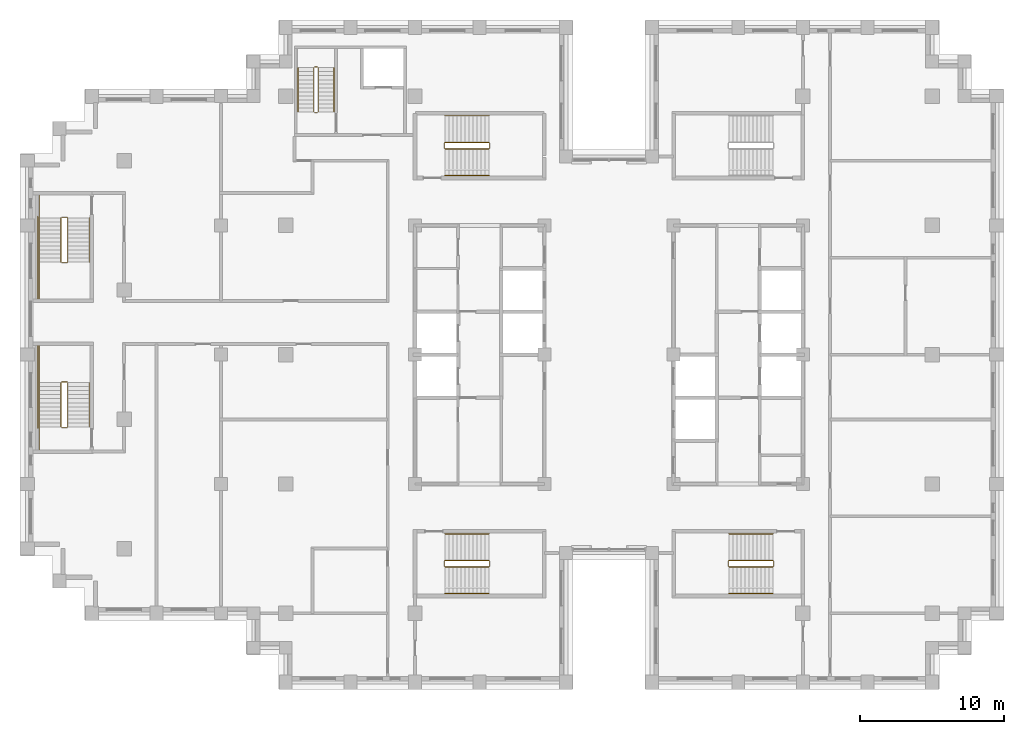
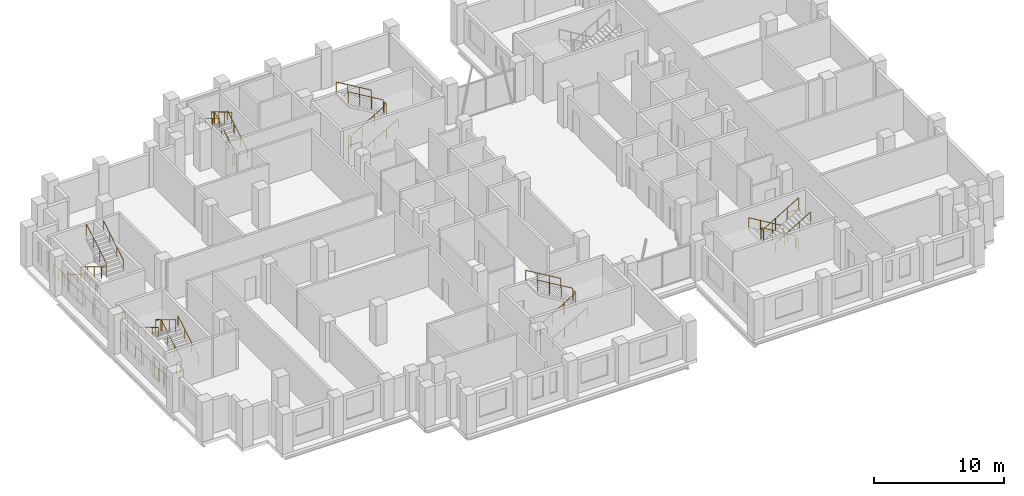
# One storey, part 14 of 15: 6 railings.
"""IFC4 building model written with IfcOpenShell, lengths in metres."""

from ifc_helpers import new_model, si_unit, direction, frame, origin, origin_2d, place, context, subcontext, project, spatial, circle, extrude, material, type_object, element, save


model = new_model("IFC4")

# Units and contexts
model_context = context("Model", 3, precision=1e-05, world=origin(), true_north=direction((0.0, 1.0)))
body_context = subcontext(model_context, "Body", "Model", "MODEL_VIEW")
ifc_project = project(units=[si_unit("LENGTHUNIT", "METRE"), si_unit("AREAUNIT", "SQUARE_METRE"), si_unit("VOLUMEUNIT", "CUBIC_METRE"), si_unit("PLANEANGLEUNIT", "RADIAN"), si_unit("MASSUNIT", "GRAM", prefix="KILO")], contexts=[model_context])

# Site, building, storey
site_placement = place(None, origin())
site = spatial("IfcSite", under=ifc_project, at=site_placement, CompositionType="ELEMENT")
building_placement = place(site_placement, origin())
building = spatial("IfcBuilding", under=site, at=building_placement, Name="Corbelhall Arena Tower", CompositionType="ELEMENT")
storey_placement = place(building_placement, frame((0.0, 0.0, 228.0)))
storey = spatial("IfcBuildingStorey", under=building, at=storey_placement, Name="L48", CompositionType="ELEMENT", Elevation=228.0)

# Railings
ifc_material = material(Name="Steel ASTM A500 Gr C", Category="steel")
railing_type = type_object("IfcRailingType", Name="IN-GD-1100", PredefinedType="GUARDRAIL", material=ifc_material)
railing_1_placement = place(storey_placement, frame((-11.425048828125, 14.324951171875, 0.166748046875)))
element("IfcRailing", 1, at=railing_1_placement, inside=storey, type_object=railing_type, Name="L48 ST1 stair guards and handrails", PredefinedType="GUARDRAIL", context=body_context, shape_type="SweptSolid", body=[
    extrude(circle(Radius=0.02392578125, at=origin_2d()), frame((0.0, 0.0, 1.076171875), z_axis=(0.859308565015, 0.0, 0.511457515432), x_axis=(0.0, 1.0, 0.0)), (0.0, 0.0, 1.0), 3.58447265625),
    extrude(circle(Radius=0.02392578125, at=origin_2d()), frame((3.130126953125, 0.050048828125, 2.9091796875), z_axis=(0.0, 1.0, 0.0), x_axis=(-1.0, 0.0, 0.0)), (0.0, 0.0, 1.0), 0.35009765625),
    extrude(circle(Radius=0.02392578125, at=origin_2d()), frame((3.080078125, 0.449951171875, 3.076171875), z_axis=(-0.859308565015, 0.0, 0.511457515432), x_axis=(0.0, -1.0, 0.0)), (0.0, 0.0, 1.0), 3.58447265625),
    extrude(circle(Radius=0.02392578125, at=origin_2d()), frame((-0.050048828125, 0.050048828125, 0.9091796875), z_axis=(0.0, 1.0, 0.0), x_axis=(-1.0, 0.0, 0.0)), (0.0, 0.0, 1.0), 0.35009765625),
    extrude(circle(Radius=0.02392578125, at=origin_2d()), frame((0.0, -1.849853515625, 0.8759765625), z_axis=(0.859308565015, 0.0, 0.511457515432), x_axis=(0.0, 1.0, 0.0)), (0.0, 0.0, 1.0), 3.58447265625),
    extrude(circle(Radius=0.02392578125, at=origin_2d()), frame((3.080078125, 2.300048828125, 2.8759765625), z_axis=(-0.859308565015, 0.0, 0.511457515432), x_axis=(0.0, -1.0, 0.0)), (0.0, 0.0, 1.0), 3.58447265625),
    extrude(circle(Radius=0.02099609375, at=origin_2d()), origin(), (0.0, 0.0, 1.0), 1.052001953125),
    extrude(circle(Radius=0.02099609375, at=origin_2d()), frame((1.026611328125, 0.0, 0.611083984375)), (0.0, 0.0, 1.0), 1.052001953125),
    extrude(circle(Radius=0.02099609375, at=origin_2d()), frame((2.053466796875, 0.0, 1.22216796875)), (0.0, 0.0, 1.0), 1.052001953125),
    extrude(circle(Radius=0.02099609375, at=origin_2d()), frame((3.080078125, 0.0, 1.833251953125)), (0.0, 0.0, 1.0), 1.052001953125),
    extrude(circle(Radius=0.02099609375, at=origin_2d()), frame((3.130126953125, 0.050048828125, 1.833251953125)), (0.0, 0.0, 1.0), 1.052001953125),
    extrude(circle(Radius=0.02099609375, at=origin_2d()), frame((3.130126953125, 0.400146484375, 1.833251953125)), (0.0, 0.0, 1.0), 1.052001953125),
    extrude(circle(Radius=0.02099609375, at=origin_2d()), frame((3.080078125, 0.449951171875, 2.0)), (0.0, 0.0, 1.0), 1.052001953125),
    extrude(circle(Radius=0.02099609375, at=origin_2d()), frame((2.053466796875, 0.449951171875, 2.611083984375)), (0.0, 0.0, 1.0), 1.052001953125),
    extrude(circle(Radius=0.02099609375, at=origin_2d()), frame((1.026611328125, 0.449951171875, 3.22216796875)), (0.0, 0.0, 1.0), 1.052001953125),
    extrude(circle(Radius=0.02099609375, at=origin_2d()), frame((0.0, 0.449951171875, 3.833251953125)), (0.0, 0.0, 1.0), 1.052001953125),
    extrude(circle(Radius=0.02099609375, at=origin_2d()), frame((-0.050048828125, 0.050048828125, -0.166748046875)), (0.0, 0.0, 1.0), 1.052001953125),
    extrude(circle(Radius=0.02099609375, at=origin_2d()), frame((-0.050048828125, 0.400146484375, -0.166748046875)), (0.0, 0.0, 1.0), 1.052001953125),
    extrude(circle(Radius=0.02099609375, at=origin_2d()), frame((0.0, -1.849853515625, 0.0)), (0.0, 0.0, 1.0), 0.851806640625),
    extrude(circle(Radius=0.02099609375, at=origin_2d()), frame((1.026611328125, -1.849853515625, 0.611083984375)), (0.0, 0.0, 1.0), 0.851806640625),
    extrude(circle(Radius=0.02099609375, at=origin_2d()), frame((2.053466796875, -1.849853515625, 1.22216796875)), (0.0, 0.0, 1.0), 0.851806640625),
    extrude(circle(Radius=0.02099609375, at=origin_2d()), frame((3.080078125, -1.849853515625, 1.833251953125)), (0.0, 0.0, 1.0), 0.851806640625),
    extrude(circle(Radius=0.02099609375, at=origin_2d()), frame((3.080078125, 2.300048828125, 2.0)), (0.0, 0.0, 1.0), 0.851806640625),
    extrude(circle(Radius=0.02099609375, at=origin_2d()), frame((2.053466796875, 2.300048828125, 2.611083984375)), (0.0, 0.0, 1.0), 0.851806640625),
    extrude(circle(Radius=0.02099609375, at=origin_2d()), frame((1.026611328125, 2.300048828125, 3.22216796875)), (0.0, 0.0, 1.0), 0.851806640625),
    extrude(circle(Radius=0.02099609375, at=origin_2d()), frame((0.0, 2.300048828125, 3.833251953125)), (0.0, 0.0, 1.0), 0.851806640625),
])
railing_2_placement = place(storey_placement, frame((-11.425048828125, -14.77490234375, 0.166748046875)))
element("IfcRailing", 2, at=railing_2_placement, inside=storey, type_object=railing_type, Name="L48 ST2 stair guards and handrails", PredefinedType="GUARDRAIL", context=body_context, shape_type="SweptSolid", body=[
    extrude(circle(Radius=0.02392578125, at=origin_2d()), frame((0.0, 0.0, 1.076171875), z_axis=(0.859308565015, 0.0, 0.511457515432), x_axis=(0.0, 1.0, 0.0)), (0.0, 0.0, 1.0), 3.58447265625),
    extrude(circle(Radius=0.02392578125, at=origin_2d()), frame((3.130126953125, 0.0498046875, 2.9091796875), z_axis=(0.0, 1.0, 0.0), x_axis=(-1.0, 0.0, 0.0)), (0.0, 0.0, 1.0), 0.35009765625),
    extrude(circle(Radius=0.02392578125, at=origin_2d()), frame((3.080078125, 0.449951171875, 3.076171875), z_axis=(-0.859308565015, 0.0, 0.511457515432), x_axis=(0.0, -1.0, 0.0)), (0.0, 0.0, 1.0), 3.58447265625),
    extrude(circle(Radius=0.02392578125, at=origin_2d()), frame((-0.050048828125, 0.0498046875, 0.9091796875), z_axis=(0.0, 1.0, 0.0), x_axis=(-1.0, 0.0, 0.0)), (0.0, 0.0, 1.0), 0.35009765625),
    extrude(circle(Radius=0.02392578125, at=origin_2d()), frame((0.0, -1.85009765625, 0.8759765625), z_axis=(0.859308565015, 0.0, 0.511457515432), x_axis=(0.0, 1.0, 0.0)), (0.0, 0.0, 1.0), 3.58447265625),
    extrude(circle(Radius=0.02392578125, at=origin_2d()), frame((3.080078125, 2.2998046875, 2.8759765625), z_axis=(-0.859308565015, 0.0, 0.511457515432), x_axis=(0.0, -1.0, 0.0)), (0.0, 0.0, 1.0), 3.58447265625),
    extrude(circle(Radius=0.02099609375, at=origin_2d()), origin(), (0.0, 0.0, 1.0), 1.052001953125),
    extrude(circle(Radius=0.02099609375, at=origin_2d()), frame((1.026611328125, 0.0, 0.611083984375)), (0.0, 0.0, 1.0), 1.052001953125),
    extrude(circle(Radius=0.02099609375, at=origin_2d()), frame((2.053466796875, 0.0, 1.22216796875)), (0.0, 0.0, 1.0), 1.052001953125),
    extrude(circle(Radius=0.02099609375, at=origin_2d()), frame((3.080078125, 0.0, 1.833251953125)), (0.0, 0.0, 1.0), 1.052001953125),
    extrude(circle(Radius=0.02099609375, at=origin_2d()), frame((3.130126953125, 0.0498046875, 1.833251953125)), (0.0, 0.0, 1.0), 1.052001953125),
    extrude(circle(Radius=0.02099609375, at=origin_2d()), frame((3.130126953125, 0.39990234375, 1.833251953125)), (0.0, 0.0, 1.0), 1.052001953125),
    extrude(circle(Radius=0.02099609375, at=origin_2d()), frame((3.080078125, 0.449951171875, 2.0)), (0.0, 0.0, 1.0), 1.052001953125),
    extrude(circle(Radius=0.02099609375, at=origin_2d()), frame((2.053466796875, 0.449951171875, 2.611083984375)), (0.0, 0.0, 1.0), 1.052001953125),
    extrude(circle(Radius=0.02099609375, at=origin_2d()), frame((1.026611328125, 0.449951171875, 3.22216796875)), (0.0, 0.0, 1.0), 1.052001953125),
    extrude(circle(Radius=0.02099609375, at=origin_2d()), frame((0.0, 0.449951171875, 3.833251953125)), (0.0, 0.0, 1.0), 1.052001953125),
    extrude(circle(Radius=0.02099609375, at=origin_2d()), frame((-0.050048828125, 0.0498046875, -0.166748046875)), (0.0, 0.0, 1.0), 1.052001953125),
    extrude(circle(Radius=0.02099609375, at=origin_2d()), frame((-0.050048828125, 0.39990234375, -0.166748046875)), (0.0, 0.0, 1.0), 1.052001953125),
    extrude(circle(Radius=0.02099609375, at=origin_2d()), frame((0.0, -1.85009765625, 0.0)), (0.0, 0.0, 1.0), 0.851806640625),
    extrude(circle(Radius=0.02099609375, at=origin_2d()), frame((1.026611328125, -1.85009765625, 0.611083984375)), (0.0, 0.0, 1.0), 0.851806640625),
    extrude(circle(Radius=0.02099609375, at=origin_2d()), frame((2.053466796875, -1.85009765625, 1.22216796875)), (0.0, 0.0, 1.0), 0.851806640625),
    extrude(circle(Radius=0.02099609375, at=origin_2d()), frame((3.080078125, -1.85009765625, 1.833251953125)), (0.0, 0.0, 1.0), 0.851806640625),
    extrude(circle(Radius=0.02099609375, at=origin_2d()), frame((3.080078125, 2.2998046875, 2.0)), (0.0, 0.0, 1.0), 0.851806640625),
    extrude(circle(Radius=0.02099609375, at=origin_2d()), frame((2.053466796875, 2.2998046875, 2.611083984375)), (0.0, 0.0, 1.0), 0.851806640625),
    extrude(circle(Radius=0.02099609375, at=origin_2d()), frame((1.026611328125, 2.2998046875, 3.22216796875)), (0.0, 0.0, 1.0), 0.851806640625),
    extrude(circle(Radius=0.02099609375, at=origin_2d()), frame((0.0, 2.2998046875, 3.833251953125)), (0.0, 0.0, 1.0), 0.851806640625),
])
railing_3_placement = place(storey_placement, frame((11.425048828125, -14.324951171875, 0.166748046875)))
element("IfcRailing", 3, at=railing_3_placement, inside=storey, type_object=railing_type, Name="L48 ST4 stair guards and handrails", PredefinedType="GUARDRAIL", context=body_context, shape_type="SweptSolid", body=[
    extrude(circle(Radius=0.02392578125, at=origin_2d()), frame((0.0, 0.0, 1.076171875), z_axis=(-0.859308565015, 0.0, 0.511457515432), x_axis=(0.0, -1.0, 0.0)), (0.0, 0.0, 1.0), 3.58447265625),
    extrude(circle(Radius=0.02392578125, at=origin_2d()), frame((-3.130126953125, -0.050048828125, 2.9091796875), z_axis=(0.0, -1.0, 0.0), x_axis=(1.0, 0.0, 0.0)), (0.0, 0.0, 1.0), 0.35009765625),
    extrude(circle(Radius=0.02392578125, at=origin_2d()), frame((-3.080078125, -0.449951171875, 3.076171875), z_axis=(0.859308565015, 0.0, 0.511457515432), x_axis=(0.0, 1.0, 0.0)), (0.0, 0.0, 1.0), 3.58447265625),
    extrude(circle(Radius=0.02392578125, at=origin_2d()), frame((0.050048828125, -0.050048828125, 0.9091796875), z_axis=(0.0, -1.0, 0.0), x_axis=(1.0, 0.0, 0.0)), (0.0, 0.0, 1.0), 0.35009765625),
    extrude(circle(Radius=0.02392578125, at=origin_2d()), frame((0.0, 1.849853515625, 0.8759765625), z_axis=(-0.859308565015, 0.0, 0.511457515432), x_axis=(0.0, -1.0, 0.0)), (0.0, 0.0, 1.0), 3.58447265625),
    extrude(circle(Radius=0.02392578125, at=origin_2d()), frame((-3.080078125, -2.300048828125, 2.8759765625), z_axis=(0.859308565015, 0.0, 0.511457515432), x_axis=(0.0, 1.0, 0.0)), (0.0, 0.0, 1.0), 3.58447265625),
    extrude(circle(Radius=0.02099609375, at=origin_2d()), origin(), (0.0, 0.0, 1.0), 1.052001953125),
    extrude(circle(Radius=0.02099609375, at=origin_2d()), frame((-1.026611328125, 0.0, 0.611083984375)), (0.0, 0.0, 1.0), 1.052001953125),
    extrude(circle(Radius=0.02099609375, at=origin_2d()), frame((-2.053466796875, 0.0, 1.22216796875)), (0.0, 0.0, 1.0), 1.052001953125),
    extrude(circle(Radius=0.02099609375, at=origin_2d()), frame((-3.080078125, 0.0, 1.833251953125)), (0.0, 0.0, 1.0), 1.052001953125),
    extrude(circle(Radius=0.02099609375, at=origin_2d()), frame((-3.130126953125, -0.050048828125, 1.833251953125)), (0.0, 0.0, 1.0), 1.052001953125),
    extrude(circle(Radius=0.02099609375, at=origin_2d()), frame((-3.130126953125, -0.400146484375, 1.833251953125)), (0.0, 0.0, 1.0), 1.052001953125),
    extrude(circle(Radius=0.02099609375, at=origin_2d()), frame((-3.080078125, -0.449951171875, 2.0)), (0.0, 0.0, 1.0), 1.052001953125),
    extrude(circle(Radius=0.02099609375, at=origin_2d()), frame((-2.053466796875, -0.449951171875, 2.611083984375)), (0.0, 0.0, 1.0), 1.052001953125),
    extrude(circle(Radius=0.02099609375, at=origin_2d()), frame((-1.026611328125, -0.449951171875, 3.22216796875)), (0.0, 0.0, 1.0), 1.052001953125),
    extrude(circle(Radius=0.02099609375, at=origin_2d()), frame((0.0, -0.449951171875, 3.833251953125)), (0.0, 0.0, 1.0), 1.052001953125),
    extrude(circle(Radius=0.02099609375, at=origin_2d()), frame((0.050048828125, -0.050048828125, -0.166748046875)), (0.0, 0.0, 1.0), 1.052001953125),
    extrude(circle(Radius=0.02099609375, at=origin_2d()), frame((0.050048828125, -0.400146484375, -0.166748046875)), (0.0, 0.0, 1.0), 1.052001953125),
    extrude(circle(Radius=0.02099609375, at=origin_2d()), frame((0.0, 1.849853515625, 0.0)), (0.0, 0.0, 1.0), 0.851806640625),
    extrude(circle(Radius=0.02099609375, at=origin_2d()), frame((-1.026611328125, 1.849853515625, 0.611083984375)), (0.0, 0.0, 1.0), 0.851806640625),
    extrude(circle(Radius=0.02099609375, at=origin_2d()), frame((-2.053466796875, 1.849853515625, 1.22216796875)), (0.0, 0.0, 1.0), 0.851806640625),
    extrude(circle(Radius=0.02099609375, at=origin_2d()), frame((-3.080078125, 1.849853515625, 1.833251953125)), (0.0, 0.0, 1.0), 0.851806640625),
    extrude(circle(Radius=0.02099609375, at=origin_2d()), frame((-3.080078125, -2.300048828125, 2.0)), (0.0, 0.0, 1.0), 0.851806640625),
    extrude(circle(Radius=0.02099609375, at=origin_2d()), frame((-2.053466796875, -2.300048828125, 2.611083984375)), (0.0, 0.0, 1.0), 0.851806640625),
    extrude(circle(Radius=0.02099609375, at=origin_2d()), frame((-1.026611328125, -2.300048828125, 3.22216796875)), (0.0, 0.0, 1.0), 0.851806640625),
    extrude(circle(Radius=0.02099609375, at=origin_2d()), frame((0.0, -2.300048828125, 3.833251953125)), (0.0, 0.0, 1.0), 0.851806640625),
])
railing_4_placement = place(storey_placement, frame((-38.14990234375, 9.52490234375, 0.166748046875)))
element("IfcRailing", 4, at=railing_4_placement, inside=storey, type_object=railing_type, Name="L48 SC1 stair guards and handrails", PredefinedType="GUARDRAIL", context=body_context, shape_type="SweptSolid", body=[
    extrude(circle(Radius=0.02392578125, at=origin_2d()), frame((0.0, 0.0, 1.076171875), z_axis=(0.0, -0.859290745958, 0.51148745235), x_axis=(1.0, 0.0, 0.0)), (0.0, 0.0, 1.0), 3.584228515625),
    extrude(circle(Radius=0.02392578125, at=origin_2d()), frame((0.0498046875, -3.1298828125, 2.9091796875), z_axis=(1.0, 0.0, 0.0), x_axis=(0.0, 1.0, 0.0)), (0.0, 0.0, 1.0), 0.375),
    extrude(circle(Radius=0.02392578125, at=origin_2d()), frame((-1.5, -3.079833984375, 2.9091796875), z_axis=(0.0, -1.0, 0.0), x_axis=(1.0, 0.0, 0.0)), (0.0, 0.0, 1.0), 2.570068359375),
    extrude(circle(Radius=0.02392578125, at=origin_2d()), frame((0.474853515625, -3.079833984375, 3.076171875), z_axis=(0.0, 0.859290745958, 0.51148745235), x_axis=(-1.0, 0.0, 0.0)), (0.0, 0.0, 1.0), 3.584228515625),
    extrude(circle(Radius=0.02392578125, at=origin_2d()), frame((0.0498046875, 0.050048828125, 0.9091796875), z_axis=(1.0, 0.0, 0.0), x_axis=(0.0, 1.0, 0.0)), (0.0, 0.0, 1.0), 0.375),
    extrude(circle(Radius=0.02392578125, at=origin_2d()), frame((-1.5, 1.60009765625, 0.9091796875), z_axis=(0.0, -1.0, 0.0), x_axis=(1.0, 0.0, 0.0)), (0.0, 0.0, 1.0), 1.60009765625),
    extrude(circle(Radius=0.02392578125, at=origin_2d()), frame((-1.60009765625, 0.10009765625, 0.9091796875), z_axis=(0.0, -1.0, 0.0), x_axis=(1.0, 0.0, 0.0)), (0.0, 0.0, 1.0), 5.85009765625),
    extrude(circle(Radius=0.02392578125, at=origin_2d()), frame((-1.5, 0.0, 0.8759765625), z_axis=(0.0, -0.859290745958, 0.51148745235), x_axis=(1.0, 0.0, 0.0)), (0.0, 0.0, 1.0), 3.584228515625),
    extrude(circle(Radius=0.02392578125, at=origin_2d()), frame((1.974853515625, -3.079833984375, 2.8759765625), z_axis=(0.0, 0.859290745958, 0.51148745235), x_axis=(-1.0, 0.0, 0.0)), (0.0, 0.0, 1.0), 3.584228515625),
    extrude(circle(Radius=0.02099609375, at=origin_2d()), origin(), (0.0, 0.0, 1.0), 1.052001953125),
    extrude(circle(Radius=0.02099609375, at=origin_2d()), frame((0.0, -1.026611328125, 0.611083984375)), (0.0, 0.0, 1.0), 1.052001953125),
    extrude(circle(Radius=0.02099609375, at=origin_2d()), frame((0.0, -2.05322265625, 1.22216796875)), (0.0, 0.0, 1.0), 1.052001953125),
    extrude(circle(Radius=0.02099609375, at=origin_2d()), frame((0.0, -3.079833984375, 1.833251953125)), (0.0, 0.0, 1.0), 1.052001953125),
    extrude(circle(Radius=0.02099609375, at=origin_2d()), frame((0.0498046875, -3.1298828125, 1.833251953125)), (0.0, 0.0, 1.0), 1.052001953125),
    extrude(circle(Radius=0.02099609375, at=origin_2d()), frame((0.4248046875, -3.1298828125, 1.833251953125)), (0.0, 0.0, 1.0), 1.052001953125),
    extrude(circle(Radius=0.02099609375, at=origin_2d()), frame((-1.5, -3.079833984375, 1.833251953125)), (0.0, 0.0, 1.0), 1.052001953125),
    extrude(circle(Radius=0.02099609375, at=origin_2d()), frame((-1.5, -3.9365234375, 1.833251953125)), (0.0, 0.0, 1.0), 1.052001953125),
    extrude(circle(Radius=0.02099609375, at=origin_2d()), frame((-1.5, -4.793212890625, 1.833251953125)), (0.0, 0.0, 1.0), 1.052001953125),
    extrude(circle(Radius=0.02099609375, at=origin_2d()), frame((-1.5, -5.64990234375, 1.833251953125)), (0.0, 0.0, 1.0), 1.052001953125),
    extrude(circle(Radius=0.02099609375, at=origin_2d()), frame((0.474853515625, -3.079833984375, 2.0)), (0.0, 0.0, 1.0), 1.052001953125),
    extrude(circle(Radius=0.02099609375, at=origin_2d()), frame((0.474853515625, -2.05322265625, 2.611083984375)), (0.0, 0.0, 1.0), 1.052001953125),
    extrude(circle(Radius=0.02099609375, at=origin_2d()), frame((0.474853515625, -1.026611328125, 3.22216796875)), (0.0, 0.0, 1.0), 1.052001953125),
    extrude(circle(Radius=0.02099609375, at=origin_2d()), frame((0.474853515625, 0.0, 3.833251953125)), (0.0, 0.0, 1.0), 1.052001953125),
    extrude(circle(Radius=0.02099609375, at=origin_2d()), frame((0.0498046875, 0.050048828125, -0.166748046875)), (0.0, 0.0, 1.0), 1.052001953125),
    extrude(circle(Radius=0.02099609375, at=origin_2d()), frame((0.4248046875, 0.050048828125, -0.166748046875)), (0.0, 0.0, 1.0), 1.052001953125),
    extrude(circle(Radius=0.02099609375, at=origin_2d()), frame((-1.5, 1.60009765625, -0.166748046875)), (0.0, 0.0, 1.0), 1.052001953125),
    extrude(circle(Radius=0.02099609375, at=origin_2d()), frame((-1.5, 0.800048828125, -0.166748046875)), (0.0, 0.0, 1.0), 1.052001953125),
    extrude(circle(Radius=0.02099609375, at=origin_2d()), frame((-1.5, 0.0, -0.166748046875)), (0.0, 0.0, 1.0), 1.052001953125),
    extrude(circle(Radius=0.02099609375, at=origin_2d()), frame((-1.60009765625, 0.10009765625, -0.166748046875)), (0.0, 0.0, 1.0), 1.052001953125),
    extrude(circle(Radius=0.02099609375, at=origin_2d()), frame((-1.60009765625, -1.06982421875, -0.166748046875)), (0.0, 0.0, 1.0), 1.052001953125),
    extrude(circle(Radius=0.02099609375, at=origin_2d()), frame((-1.60009765625, -2.239990234375, -0.166748046875)), (0.0, 0.0, 1.0), 1.052001953125),
    extrude(circle(Radius=0.02099609375, at=origin_2d()), frame((-1.60009765625, -3.409912109375, -0.166748046875)), (0.0, 0.0, 1.0), 1.052001953125),
    extrude(circle(Radius=0.02099609375, at=origin_2d()), frame((-1.60009765625, -4.580078125, -0.166748046875)), (0.0, 0.0, 1.0), 1.052001953125),
    extrude(circle(Radius=0.02099609375, at=origin_2d()), frame((-1.60009765625, -5.75, -0.166748046875)), (0.0, 0.0, 1.0), 1.052001953125),
    extrude(circle(Radius=0.02099609375, at=origin_2d()), frame((-1.5, 0.0, 0.0)), (0.0, 0.0, 1.0), 0.851806640625),
    extrude(circle(Radius=0.02099609375, at=origin_2d()), frame((-1.5, -1.026611328125, 0.611083984375)), (0.0, 0.0, 1.0), 0.851806640625),
    extrude(circle(Radius=0.02099609375, at=origin_2d()), frame((-1.5, -2.05322265625, 1.22216796875)), (0.0, 0.0, 1.0), 0.851806640625),
    extrude(circle(Radius=0.02099609375, at=origin_2d()), frame((1.974853515625, -3.079833984375, 2.0)), (0.0, 0.0, 1.0), 0.851806640625),
    extrude(circle(Radius=0.02099609375, at=origin_2d()), frame((1.974853515625, -2.05322265625, 2.611083984375)), (0.0, 0.0, 1.0), 0.851806640625),
    extrude(circle(Radius=0.02099609375, at=origin_2d()), frame((1.974853515625, -1.026611328125, 3.22216796875)), (0.0, 0.0, 1.0), 0.851806640625),
    extrude(circle(Radius=0.02099609375, at=origin_2d()), frame((1.974853515625, 0.0, 3.833251953125)), (0.0, 0.0, 1.0), 0.851806640625),
])
railing_5_placement = place(storey_placement, frame((-37.675048828125, -5.02490234375, 0.166748046875)))
element("IfcRailing", 5, at=railing_5_placement, inside=storey, type_object=railing_type, Name="L48 SC2 stair guards and handrails", PredefinedType="GUARDRAIL", context=body_context, shape_type="SweptSolid", body=[
    extrude(circle(Radius=0.02392578125, at=origin_2d()), frame((0.0, 0.0, 1.076171875), z_axis=(0.0, 0.859290745958, 0.51148745235), x_axis=(-1.0, 0.0, 0.0)), (0.0, 0.0, 1.0), 3.584228515625),
    extrude(circle(Radius=0.02392578125, at=origin_2d()), frame((-0.050048828125, 3.1298828125, 2.9091796875), z_axis=(-1.0, 0.0, 0.0), x_axis=(0.0, -1.0, 0.0)), (0.0, 0.0, 1.0), 0.375),
    extrude(circle(Radius=0.02392578125, at=origin_2d()), frame((-1.974853515625, 3.079833984375, 2.9091796875), z_axis=(0.0, 1.0, 0.0), x_axis=(-1.0, 0.0, 0.0)), (0.0, 0.0, 1.0), 2.570068359375),
    extrude(circle(Radius=0.02392578125, at=origin_2d()), frame((-0.474853515625, 3.079833984375, 3.076171875), z_axis=(0.0, -0.859290745958, 0.51148745235), x_axis=(1.0, 0.0, 0.0)), (0.0, 0.0, 1.0), 3.584228515625),
    extrude(circle(Radius=0.02392578125, at=origin_2d()), frame((-0.050048828125, -0.050048828125, 0.9091796875), z_axis=(-1.0, 0.0, 0.0), x_axis=(0.0, -1.0, 0.0)), (0.0, 0.0, 1.0), 0.375),
    extrude(circle(Radius=0.02392578125, at=origin_2d()), frame((-1.974853515625, -1.60009765625, 0.9091796875), z_axis=(0.0, 1.0, 0.0), x_axis=(-1.0, 0.0, 0.0)), (0.0, 0.0, 1.0), 1.60009765625),
    extrude(circle(Radius=0.02392578125, at=origin_2d()), frame((-2.074951171875, -0.10009765625, 0.9091796875), z_axis=(0.0, 1.0, 0.0), x_axis=(-1.0, 0.0, 0.0)), (0.0, 0.0, 1.0), 5.85009765625),
    extrude(circle(Radius=0.02392578125, at=origin_2d()), frame((1.5, 0.0, 0.8759765625), z_axis=(0.0, 0.859290745958, 0.51148745235), x_axis=(-1.0, 0.0, 0.0)), (0.0, 0.0, 1.0), 3.584228515625),
    extrude(circle(Radius=0.02392578125, at=origin_2d()), frame((-1.974853515625, 3.079833984375, 2.8759765625), z_axis=(0.0, -0.859290745958, 0.51148745235), x_axis=(1.0, 0.0, 0.0)), (0.0, 0.0, 1.0), 3.584228515625),
    extrude(circle(Radius=0.02099609375, at=origin_2d()), origin(), (0.0, 0.0, 1.0), 1.052001953125),
    extrude(circle(Radius=0.02099609375, at=origin_2d()), frame((0.0, 1.026611328125, 0.611083984375)), (0.0, 0.0, 1.0), 1.052001953125),
    extrude(circle(Radius=0.02099609375, at=origin_2d()), frame((0.0, 2.05322265625, 1.22216796875)), (0.0, 0.0, 1.0), 1.052001953125),
    extrude(circle(Radius=0.02099609375, at=origin_2d()), frame((0.0, 3.079833984375, 1.833251953125)), (0.0, 0.0, 1.0), 1.052001953125),
    extrude(circle(Radius=0.02099609375, at=origin_2d()), frame((-0.050048828125, 3.1298828125, 1.833251953125)), (0.0, 0.0, 1.0), 1.052001953125),
    extrude(circle(Radius=0.02099609375, at=origin_2d()), frame((-0.425048828125, 3.1298828125, 1.833251953125)), (0.0, 0.0, 1.0), 1.052001953125),
    extrude(circle(Radius=0.02099609375, at=origin_2d()), frame((-1.974853515625, 3.079833984375, 1.833251953125)), (0.0, 0.0, 1.0), 1.052001953125),
    extrude(circle(Radius=0.02099609375, at=origin_2d()), frame((-1.974853515625, 3.9365234375, 1.833251953125)), (0.0, 0.0, 1.0), 1.052001953125),
    extrude(circle(Radius=0.02099609375, at=origin_2d()), frame((-1.974853515625, 4.793212890625, 1.833251953125)), (0.0, 0.0, 1.0), 1.052001953125),
    extrude(circle(Radius=0.02099609375, at=origin_2d()), frame((-1.974853515625, 5.64990234375, 1.833251953125)), (0.0, 0.0, 1.0), 1.052001953125),
    extrude(circle(Radius=0.02099609375, at=origin_2d()), frame((-0.474853515625, 3.079833984375, 2.0)), (0.0, 0.0, 1.0), 1.052001953125),
    extrude(circle(Radius=0.02099609375, at=origin_2d()), frame((-0.474853515625, 2.05322265625, 2.611083984375)), (0.0, 0.0, 1.0), 1.052001953125),
    extrude(circle(Radius=0.02099609375, at=origin_2d()), frame((-0.474853515625, 1.026611328125, 3.22216796875)), (0.0, 0.0, 1.0), 1.052001953125),
    extrude(circle(Radius=0.02099609375, at=origin_2d()), frame((-0.474853515625, 0.0, 3.833251953125)), (0.0, 0.0, 1.0), 1.052001953125),
    extrude(circle(Radius=0.02099609375, at=origin_2d()), frame((-0.050048828125, -0.050048828125, -0.166748046875)), (0.0, 0.0, 1.0), 1.052001953125),
    extrude(circle(Radius=0.02099609375, at=origin_2d()), frame((-0.425048828125, -0.050048828125, -0.166748046875)), (0.0, 0.0, 1.0), 1.052001953125),
    extrude(circle(Radius=0.02099609375, at=origin_2d()), frame((-1.974853515625, -1.60009765625, -0.166748046875)), (0.0, 0.0, 1.0), 1.052001953125),
    extrude(circle(Radius=0.02099609375, at=origin_2d()), frame((-1.974853515625, -0.800048828125, -0.166748046875)), (0.0, 0.0, 1.0), 1.052001953125),
    extrude(circle(Radius=0.02099609375, at=origin_2d()), frame((-1.974853515625, 0.0, -0.166748046875)), (0.0, 0.0, 1.0), 1.052001953125),
    extrude(circle(Radius=0.02099609375, at=origin_2d()), frame((-2.074951171875, -0.10009765625, -0.166748046875)), (0.0, 0.0, 1.0), 1.052001953125),
    extrude(circle(Radius=0.02099609375, at=origin_2d()), frame((-2.074951171875, 1.06982421875, -0.166748046875)), (0.0, 0.0, 1.0), 1.052001953125),
    extrude(circle(Radius=0.02099609375, at=origin_2d()), frame((-2.074951171875, 2.239990234375, -0.166748046875)), (0.0, 0.0, 1.0), 1.052001953125),
    extrude(circle(Radius=0.02099609375, at=origin_2d()), frame((-2.074951171875, 3.409912109375, -0.166748046875)), (0.0, 0.0, 1.0), 1.052001953125),
    extrude(circle(Radius=0.02099609375, at=origin_2d()), frame((-2.074951171875, 4.580078125, -0.166748046875)), (0.0, 0.0, 1.0), 1.052001953125),
    extrude(circle(Radius=0.02099609375, at=origin_2d()), frame((-2.074951171875, 5.75, -0.166748046875)), (0.0, 0.0, 1.0), 1.052001953125),
    extrude(circle(Radius=0.02099609375, at=origin_2d()), frame((1.5, 0.0, 0.0)), (0.0, 0.0, 1.0), 0.851806640625),
    extrude(circle(Radius=0.02099609375, at=origin_2d()), frame((1.5, 1.026611328125, 0.611083984375)), (0.0, 0.0, 1.0), 0.851806640625),
    extrude(circle(Radius=0.02099609375, at=origin_2d()), frame((1.5, 2.05322265625, 1.22216796875)), (0.0, 0.0, 1.0), 0.851806640625),
    extrude(circle(Radius=0.02099609375, at=origin_2d()), frame((1.5, 3.079833984375, 1.833251953125)), (0.0, 0.0, 1.0), 0.851806640625),
    extrude(circle(Radius=0.02099609375, at=origin_2d()), frame((-1.974853515625, 3.079833984375, 2.0)), (0.0, 0.0, 1.0), 0.851806640625),
    extrude(circle(Radius=0.02099609375, at=origin_2d()), frame((-1.974853515625, 2.05322265625, 2.611083984375)), (0.0, 0.0, 1.0), 0.851806640625),
    extrude(circle(Radius=0.02099609375, at=origin_2d()), frame((-1.974853515625, 1.026611328125, 3.22216796875)), (0.0, 0.0, 1.0), 0.851806640625),
    extrude(circle(Radius=0.02099609375, at=origin_2d()), frame((-1.974853515625, 0.0, 3.833251953125)), (0.0, 0.0, 1.0), 0.851806640625),
])
railing_6_placement = place(storey_placement, frame((-20.2451171875, 16.89990234375, 0.166748046875)))
element("IfcRailing", 6, at=railing_6_placement, inside=storey, type_object=railing_type, Name="L48 ST5 stair guards and handrails", PredefinedType="GUARDRAIL", context=body_context, shape_type="SweptSolid", body=[
    extrude(circle(Radius=0.02392578125, at=origin_2d()), frame((0.0, 0.0, 1.076171875), z_axis=(0.0, 0.859308565015, 0.511457515432), x_axis=(-1.0, 0.0, 0.0)), (0.0, 0.0, 1.0), 3.58447265625),
    extrude(circle(Radius=0.02392578125, at=origin_2d()), frame((-0.0498046875, 3.130126953125, 2.9091796875), z_axis=(-1.0, 0.0, 0.0), x_axis=(0.0, -1.0, 0.0)), (0.0, 0.0, 1.0), 0.2001953125),
    extrude(circle(Radius=0.02392578125, at=origin_2d()), frame((-0.2998046875, 3.080078125, 3.076171875), z_axis=(0.0, -0.859308565015, 0.511457515432), x_axis=(1.0, 0.0, 0.0)), (0.0, 0.0, 1.0), 3.58447265625),
    extrude(circle(Radius=0.02392578125, at=origin_2d()), frame((-0.0498046875, -0.0498046875, 0.9091796875), z_axis=(-1.0, 0.0, 0.0), x_axis=(0.0, -1.0, 0.0)), (0.0, 0.0, 1.0), 0.2001953125),
    extrude(circle(Radius=0.02392578125, at=origin_2d()), frame((1.10009765625, 0.0, 0.8759765625), z_axis=(0.0, 0.859308565015, 0.511457515432), x_axis=(-1.0, 0.0, 0.0)), (0.0, 0.0, 1.0), 3.58447265625),
    extrude(circle(Radius=0.02392578125, at=origin_2d()), frame((-1.39990234375, 3.080078125, 2.8759765625), z_axis=(0.0, -0.859308565015, 0.511457515432), x_axis=(1.0, 0.0, 0.0)), (0.0, 0.0, 1.0), 3.58447265625),
    extrude(circle(Radius=0.02099609375, at=origin_2d()), origin(), (0.0, 0.0, 1.0), 1.052001953125),
    extrude(circle(Radius=0.02099609375, at=origin_2d()), frame((0.0, 1.026611328125, 0.611083984375)), (0.0, 0.0, 1.0), 1.052001953125),
    extrude(circle(Radius=0.02099609375, at=origin_2d()), frame((0.0, 2.053466796875, 1.22216796875)), (0.0, 0.0, 1.0), 1.052001953125),
    extrude(circle(Radius=0.02099609375, at=origin_2d()), frame((0.0, 3.080078125, 1.833251953125)), (0.0, 0.0, 1.0), 1.052001953125),
    extrude(circle(Radius=0.02099609375, at=origin_2d()), frame((-0.0498046875, 3.130126953125, 1.833251953125)), (0.0, 0.0, 1.0), 1.052001953125),
    extrude(circle(Radius=0.02099609375, at=origin_2d()), frame((-0.25, 3.130126953125, 1.833251953125)), (0.0, 0.0, 1.0), 1.052001953125),
    extrude(circle(Radius=0.02099609375, at=origin_2d()), frame((-0.2998046875, 3.080078125, 2.0)), (0.0, 0.0, 1.0), 1.052001953125),
    extrude(circle(Radius=0.02099609375, at=origin_2d()), frame((-0.2998046875, 2.053466796875, 2.611083984375)), (0.0, 0.0, 1.0), 1.052001953125),
    extrude(circle(Radius=0.02099609375, at=origin_2d()), frame((-0.2998046875, 1.026611328125, 3.22216796875)), (0.0, 0.0, 1.0), 1.052001953125),
    extrude(circle(Radius=0.02099609375, at=origin_2d()), frame((-0.2998046875, 0.0, 3.833251953125)), (0.0, 0.0, 1.0), 1.052001953125),
    extrude(circle(Radius=0.02099609375, at=origin_2d()), frame((-0.0498046875, -0.0498046875, -0.166748046875)), (0.0, 0.0, 1.0), 1.052001953125),
    extrude(circle(Radius=0.02099609375, at=origin_2d()), frame((-0.25, -0.0498046875, -0.166748046875)), (0.0, 0.0, 1.0), 1.052001953125),
    extrude(circle(Radius=0.02099609375, at=origin_2d()), frame((1.10009765625, 0.0, 0.0)), (0.0, 0.0, 1.0), 0.851806640625),
    extrude(circle(Radius=0.02099609375, at=origin_2d()), frame((1.10009765625, 1.026611328125, 0.611083984375)), (0.0, 0.0, 1.0), 0.851806640625),
    extrude(circle(Radius=0.02099609375, at=origin_2d()), frame((1.10009765625, 2.053466796875, 1.22216796875)), (0.0, 0.0, 1.0), 0.851806640625),
    extrude(circle(Radius=0.02099609375, at=origin_2d()), frame((1.10009765625, 3.080078125, 1.833251953125)), (0.0, 0.0, 1.0), 0.851806640625),
    extrude(circle(Radius=0.02099609375, at=origin_2d()), frame((-1.39990234375, 3.080078125, 2.0)), (0.0, 0.0, 1.0), 0.851806640625),
    extrude(circle(Radius=0.02099609375, at=origin_2d()), frame((-1.39990234375, 2.053466796875, 2.611083984375)), (0.0, 0.0, 1.0), 0.851806640625),
    extrude(circle(Radius=0.02099609375, at=origin_2d()), frame((-1.39990234375, 1.026611328125, 3.22216796875)), (0.0, 0.0, 1.0), 0.851806640625),
    extrude(circle(Radius=0.02099609375, at=origin_2d()), frame((-1.39990234375, 0.0, 3.833251953125)), (0.0, 0.0, 1.0), 0.851806640625),
])

save(model, "model.ifc")
